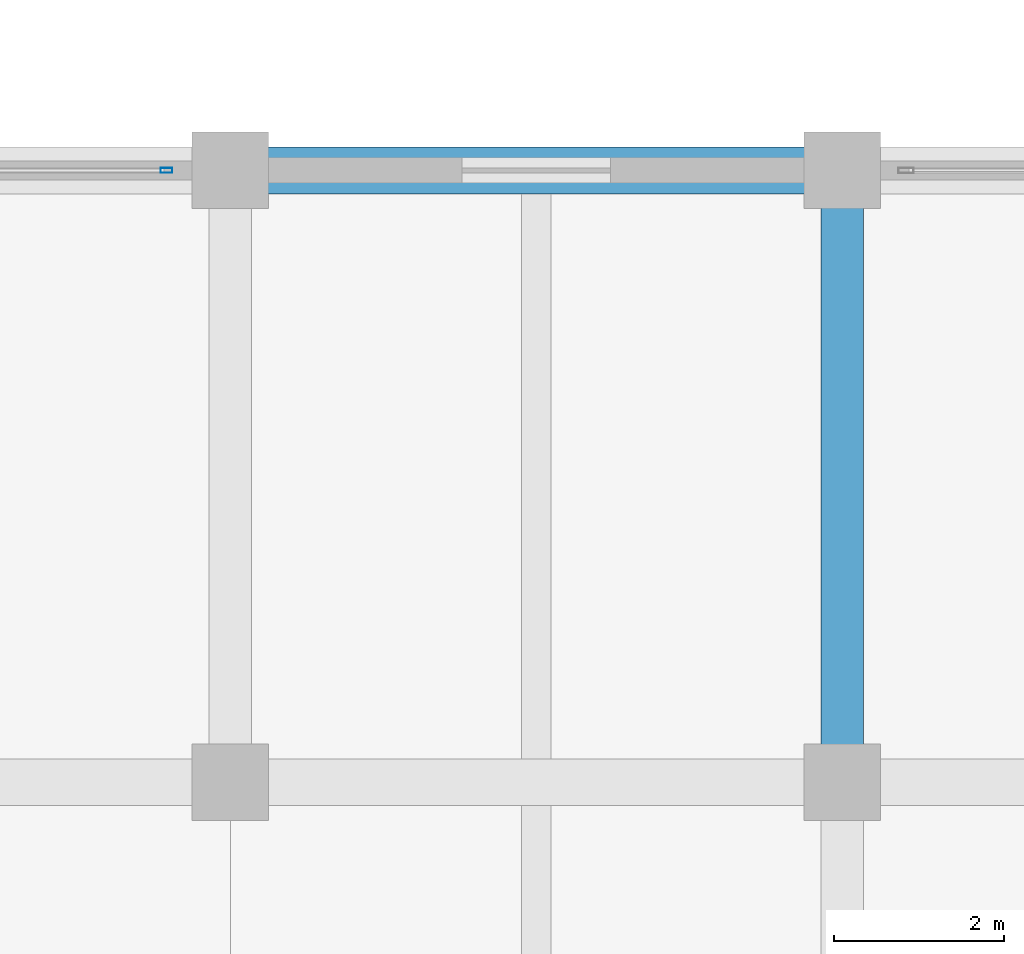
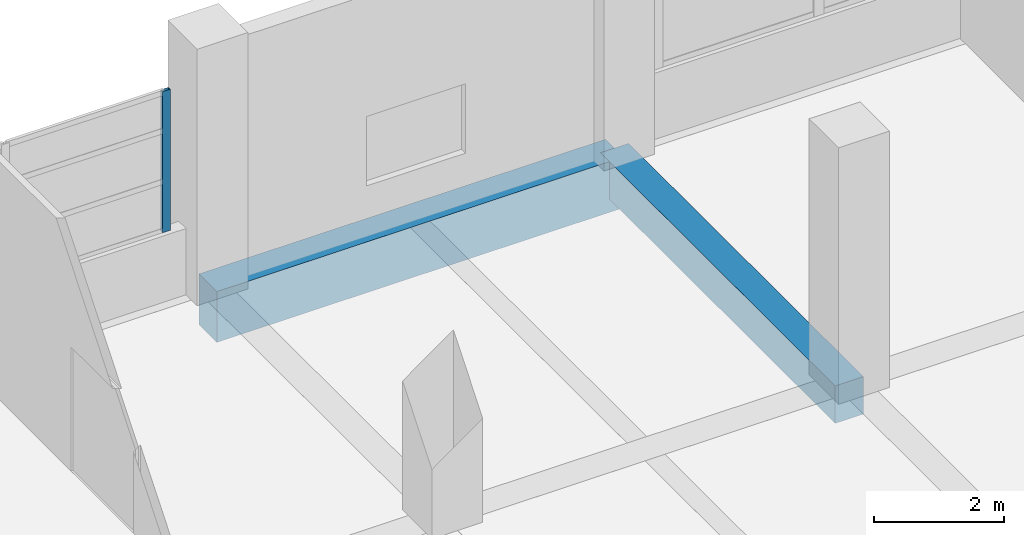
# One storey, part 37 of 181: 2 beams, 1 member, 1 element without a shape of its own.
"""IFC4 building model written with IfcOpenShell, lengths in metres."""

from ifc_helpers import new_model, si_unit, direction, frame, origin, origin_2d, place, context, subcontext, project, spatial, rectangle, hollow_rectangle, extrude, material, layer, layer_set, material_profile, profile_set, type_object, element, aggregate, save


model = new_model("IFC4")

# Units and contexts
model_context = context("Model", 3, precision=1e-05, world=origin(), true_north=direction((0.0, 1.0)))
body_context = subcontext(model_context, "Body", "Model", "MODEL_VIEW")
ifc_project = project(units=[si_unit("LENGTHUNIT", "METRE"), si_unit("AREAUNIT", "SQUARE_METRE"), si_unit("VOLUMEUNIT", "CUBIC_METRE"), si_unit("PLANEANGLEUNIT", "RADIAN"), si_unit("MASSUNIT", "GRAM", prefix="KILO")], contexts=[model_context])

# Site, building, storey
site_placement = place(None, origin())
site = spatial("IfcSite", under=ifc_project, at=site_placement, CompositionType="ELEMENT")
building_placement = place(site_placement, origin())
building = spatial("IfcBuilding", under=site, at=building_placement, Name="Seraya Terrace Polytechnic", CompositionType="ELEMENT")
storey_placement = place(building_placement, frame((0.0, 0.0, 4.800048828125)))
storey = spatial("IfcBuildingStorey", under=building, at=storey_placement, Name="L01", CompositionType="ELEMENT", Elevation=4.800048828125)

# Beams
ifc_material_1 = material(Name="Concrete C40/50", Category="concrete")
ifc_material_profile_1 = material_profile(ifc_material_1, rectangle(XDim=0.550048828125, YDim=0.949951171875, at=origin_2d()), Name="RC 550x950")
ifc_profile_set_1 = profile_set([ifc_material_profile_1], Name="Concrete C40/50")
beam_type_1 = type_object("IfcBeamType", Name="BM-03", PredefinedType="BEAM", material=ifc_profile_set_1)
beam_1_placement = place(storey_placement, frame((64.800048828125, 28.800048828125, -0.47509765625), z_axis=(1.0, 0.0, 0.0), x_axis=(0.0, 1.0, 0.0)))
element("IfcBeam", 1, at=beam_1_placement, inside=storey, type_object=beam_type_1, Name="Beam BM-03 L01 X (64.8..72.0, 28.8)", PredefinedType="BEAM", context=body_context, shape_type="SweptSolid", body=[
    extrude(rectangle(XDim=0.550048828125, YDim=0.949951171875, at=origin_2d()), origin(), (0.0, 0.0, 1.0), 7.199951171875),
])
ifc_material_profile_2 = material_profile(ifc_material_1, rectangle(XDim=0.5, YDim=0.699951171875, at=origin_2d()), Name="RC 500x700")
ifc_profile_set_2 = profile_set([ifc_material_profile_2], Name="Concrete C40/50")
beam_type_2 = type_object("IfcBeamType", Name="BM-07", PredefinedType="BEAM", material=ifc_profile_set_2)
beam_2_placement = place(storey_placement, frame((72.0, 21.60009765625, -0.35009765625), z_axis=(0.0, 1.0, 0.0), x_axis=(-1.0, 0.0, 0.0)))
element("IfcBeam", 2, at=beam_2_placement, inside=storey, type_object=beam_type_2, Name="Beam BM-07 L01 Y (72.0, 21.6..28.8)", PredefinedType="BEAM", context=body_context, shape_type="SweptSolid", body=[
    extrude(rectangle(XDim=0.5, YDim=0.699951171875, at=origin_2d()), origin(), (0.0, 0.0, 1.0), 7.199951171875),
])

# Curtain wall, member
ifc_material_2 = material(Name="Anodised aluminium EN AW-6063 T6", Category="aluminium")
ifc_layer = layer(ifc_material_2, 0.179931640625, Name="CW-03")
ifc_layer_set = layer_set([ifc_layer], Name="Anodised aluminium EN AW-6063 T6")
curtain_wall_type = type_object("IfcCurtainWallType", Name="CW-03", PredefinedType="NOTDEFINED", material=ifc_layer_set)
curtain_wall_placement = place(storey_placement, origin())
curtain_wall = element("IfcCurtainWall", 3, at=curtain_wall_placement, inside=storey, type_object=curtain_wall_type, Name="Unitised curtain wall CW-03 (CW-L01-039)", PredefinedType="NOTDEFINED")
ifc_material_profile_3 = material_profile(ifc_material_2, hollow_rectangle(XDim=0.06005859375, YDim=0.139892578125, WallThickness=0.00341796875, at=origin_2d()), Name="RHS 140x60x3.5")
ifc_profile_set_3 = profile_set([ifc_material_profile_3], Name="Anodised aluminium EN AW-6063 T6")
member_type = type_object("IfcMemberType", Name="CWM-03", PredefinedType="MULLION", material=ifc_profile_set_3)
member_placement = place(storey_placement, frame((64.050048828125, 28.800048828125, 1.239990234375), z_axis=(0.0, 0.0, 1.0), x_axis=(0.0, 1.0, 0.0)))
member = element("IfcMember", 4, at=member_placement, type_object=member_type, Name="CW-03 mullion 3", PredefinedType="MULLION", context=body_context, shape_type="SweptSolid", body=[
    extrude(hollow_rectangle(XDim=0.06005859375, YDim=0.139892578125, WallThickness=0.00341796875, at=origin_2d()), origin(), (0.0, 0.0, 1.0), 2.639892578125),
])
aggregate(curtain_wall, [member])

save(model, "model.ifc")
